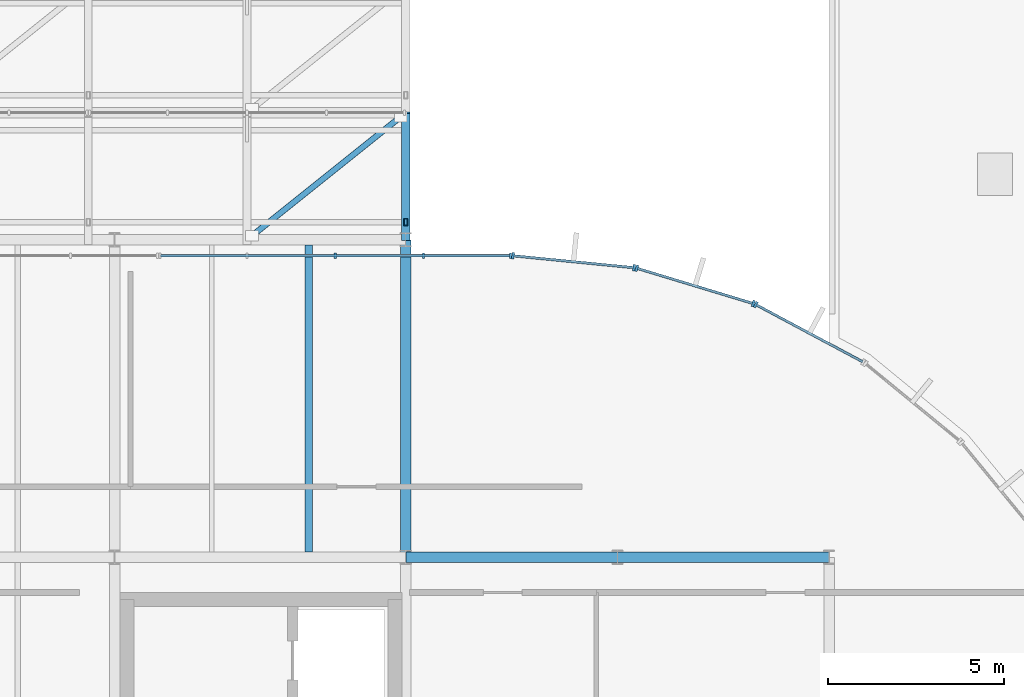
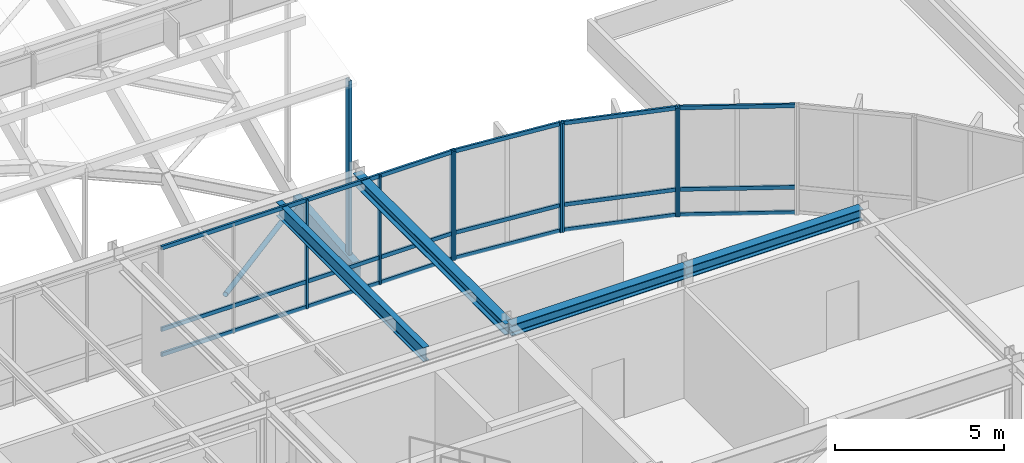
# One storey, part 23 of 69: 22 members, 5 beams, 4 elements without a shape of their own.
"""IFC4 building model written with IfcOpenShell, lengths in metres."""

from ifc_helpers import new_model, si_unit, direction, frame, origin, origin_2d, place, context, subcontext, project, spatial, rectangle, hollow_rectangle, hollow_circle, i_section, extrude, material, layer, layer_set, material_profile, profile_set, type_object, element, aggregate, save


model = new_model("IFC4")

# Units and contexts
model_context = context("Model", 3, precision=1e-05, world=origin(), true_north=direction((0.0, 1.0)))
body_context = subcontext(model_context, "Body", "Model", "MODEL_VIEW")
ifc_project = project(units=[si_unit("LENGTHUNIT", "METRE"), si_unit("AREAUNIT", "SQUARE_METRE"), si_unit("VOLUMEUNIT", "CUBIC_METRE"), si_unit("PLANEANGLEUNIT", "RADIAN"), si_unit("MASSUNIT", "GRAM", prefix="KILO")], contexts=[model_context])

# Site, building, storey
site_placement = place(None, origin())
site = spatial("IfcSite", under=ifc_project, at=site_placement, CompositionType="ELEMENT")
building_placement = place(site_placement, origin())
building = spatial("IfcBuilding", under=site, at=building_placement, Name="Montealbar Specialist Clinic", CompositionType="ELEMENT")
storey_placement = place(building_placement, frame((0.0, 0.0, 9.60009765625)))
storey = spatial("IfcBuildingStorey", under=building, at=storey_placement, Name="L02", CompositionType="ELEMENT", Elevation=9.60009765625)

# Beams
ifc_material_1 = material(Name="Steel S355", Category="steel")
ifc_material_profile_1 = material_profile(ifc_material_1, i_section(OverallWidth=0.300048828125, OverallDepth=0.39990234375, WebThickness=0.013427734375, FlangeThickness=0.02392578125, FilletRadius=0.027099609375, at=origin_2d()), Name="HEB 400", Category="steel")
ifc_profile_set_1 = profile_set([ifc_material_profile_1], Name="Steel S355")
beam_type_1 = type_object("IfcBeamType", Name="BM-GIRD-HEB400", PredefinedType="BEAM", material=ifc_profile_set_1)
for number, where, z_axis, x_axis, name in (
    (1, (99.0, 36.0, 3.72998046875), (1.0, 0.0, 0.0), (0.0, 1.0, 0.0), "Beam GX-L02-990-1050-360"),
    (2, (105.0, 36.0, 3.72998046875), (1.0, 0.0, 0.0), (0.0, 1.0, 0.0), "Beam GX-L02-1050-1110-360"),
):
    element("IfcBeam", number, at=place(storey_placement, frame(where, z_axis=z_axis, x_axis=x_axis)), inside=storey, type_object=beam_type_1, Name=name, PredefinedType="BEAM", context=body_context, shape_type="SweptSolid", body=[
        extrude(i_section(OverallWidth=0.300048828125, OverallDepth=0.39990234375, WebThickness=0.013427734375, FlangeThickness=0.02392578125, FilletRadius=0.027099609375, at=origin_2d()), origin(), (0.0, 0.0, 1.0), 6.0),
    ])
beam_1_placement = place(storey_placement, frame((99.0, 36.0, 3.72998046875), z_axis=(0.0, 1.0, 0.0), x_axis=(-1.0, 0.0, 0.0)))
element("IfcBeam", 3, at=beam_1_placement, inside=storey, type_object=beam_type_1, Name="Beam GY-L02-990-360-450", PredefinedType="BEAM", context=body_context, shape_type="SweptSolid", body=[
    extrude(i_section(OverallWidth=0.300048828125, OverallDepth=0.39990234375, WebThickness=0.013427734375, FlangeThickness=0.02392578125, FilletRadius=0.027099609375, at=origin_2d()), origin(), (0.0, 0.0, 1.0), 9.0),
])
ifc_material_2 = material(Name="Glulam GL28h", Category="wood")
ifc_material_profile_2 = material_profile(ifc_material_2, rectangle(XDim=0.239990234375, YDim=0.639892578125, at=origin_2d()), Name="GL28h 240x640", Category="wood")
ifc_profile_set_2 = profile_set([ifc_material_profile_2], Name="Glulam GL28h")
beam_type_2 = type_object("IfcBeamType", Name="BM-GL-240x640-EXT", PredefinedType="BEAM", material=ifc_profile_set_2)
beam_2_placement = place(storey_placement, frame((99.0, 45.0, 0.31982421875), z_axis=(0.0, 0.996522415849, 0.083325114522), x_axis=(-1.0, 0.0, 0.0)))
element("IfcBeam", 4, at=beam_2_placement, inside=storey, type_object=beam_type_2, Name="Gridshell Glulam Roof Truss Rib Y 10-0", PredefinedType="BEAM", context=body_context, shape_type="SweptSolid", body=[
    extrude(rectangle(XDim=0.239990234375, YDim=0.639892578125, at=origin_2d()), origin(), (0.0, 0.0, 1.0), 3.612548828125),
])
ifc_material_profile_3 = material_profile(ifc_material_1, i_section(OverallWidth=0.199951171875, OverallDepth=0.5, WebThickness=0.01025390625, FlangeThickness=0.01611328125, FilletRadius=0.02099609375, at=origin_2d()), Name="IPE 500", Category="steel")
ifc_profile_set_3 = profile_set([ifc_material_profile_3], Name="Steel S355")
beam_type_3 = type_object("IfcBeamType", Name="BM-JST-IPE500", PredefinedType="JOIST", material=ifc_profile_set_3)
beam_3_placement = place(storey_placement, frame((96.25, 36.14990234375, 3.679931640625), z_axis=(0.0, 1.0, 0.0), x_axis=(-1.0, 0.0, 0.0)))
element("IfcBeam", 5, at=beam_3_placement, inside=storey, type_object=beam_type_3, Name="Beam JST-L02-962-362-448", PredefinedType="JOIST", context=body_context, shape_type="SweptSolid", body=[
    extrude(i_section(OverallWidth=0.199951171875, OverallDepth=0.5, WebThickness=0.01025390625, FlangeThickness=0.01611328125, FilletRadius=0.02099609375, at=origin_2d()), origin(), (0.0, 0.0, 1.0), 8.7001953125),
])

# Curtain wall, members
ifc_material_3 = material(Name="Low-E double glazing", Category="glass")
ifc_layer_1 = layer(ifc_material_3, 0.199951171875, Name="Low-E double glazing", Category="glass")
ifc_layer_set_1 = layer_set([ifc_layer_1], Name="Low-E double glazing")
curtain_wall_type_1 = type_object("IfcCurtainWallType", Name="CW-TYPE-13", PredefinedType="NOTDEFINED", material=ifc_layer_set_1)
curtain_wall_1_placement = place(storey_placement, origin())
curtain_wall_1 = element("IfcCurtainWall", 6, at=curtain_wall_1_placement, inside=storey, type_object=curtain_wall_type_1, Name="Unitised Curtain Wall CW-L02-920-446-1020-446-96", PredefinedType="NOTDEFINED")
ifc_material_4 = material(Name="Anodised aluminium EN AW-6063", Category="aluminium")
ifc_material_profile_4 = material_profile(ifc_material_4, rectangle(XDim=0.06005859375, YDim=0.159912109375, at=origin_2d()), Name="ALU 60x160", Category="aluminium")
ifc_profile_set_4 = profile_set([ifc_material_profile_4], Name="Anodised aluminium EN AW-6063")
member_type_1 = type_object("IfcMemberType", Name="CW-MUL-160", PredefinedType="MULLION", material=ifc_profile_set_4)
member_1_placement = place(storey_placement, frame((97.0, 44.550048828125, 0.0), z_axis=(0.0, 0.0, 1.0), x_axis=(1.0, 0.0, 0.0)))
member_1 = element("IfcMember", 7, at=member_1_placement, type_object=member_type_1, Name="Curtain Wall Mullion CW-L02-920-446-1020-446-96-02", PredefinedType="MULLION", context=body_context, shape_type="SweptSolid", body=[
    extrude(rectangle(XDim=0.06005859375, YDim=0.159912109375, at=origin_2d()), origin(), (0.0, 0.0, 1.0), 3.929931640625),
])
member_2_placement = place(storey_placement, frame((99.5, 44.550048828125, 0.0), z_axis=(0.0, 0.0, 1.0), x_axis=(1.0, 0.0, 0.0)))
member_2 = element("IfcMember", 8, at=member_2_placement, type_object=member_type_1, Name="Curtain Wall Mullion CW-L02-920-446-1020-446-96-03", PredefinedType="MULLION", context=body_context, shape_type="SweptSolid", body=[
    extrude(rectangle(XDim=0.06005859375, YDim=0.159912109375, at=origin_2d()), origin(), (0.0, 0.0, 1.0), 3.929931640625),
])
member_3_placement = place(storey_placement, frame((101.965087890625, 44.550048828125, 0.0), z_axis=(0.0, 0.0, 1.0), x_axis=(1.0, 0.0, 0.0)))
member_3 = element("IfcMember", 9, at=member_3_placement, type_object=member_type_1, Name="Curtain Wall Mullion CW-L02-920-446-1020-446-96-04", PredefinedType="MULLION", context=body_context, shape_type="SweptSolid", body=[
    extrude(rectangle(XDim=0.06005859375, YDim=0.159912109375, at=origin_2d()), origin(), (0.0, 0.0, 1.0), 3.929931640625),
])

ifc_layer_2 = layer(ifc_material_3, 0.199951171875, Name="Low-E double glazing", Category="glass")
ifc_layer_set_2 = layer_set([ifc_layer_2], Name="Low-E double glazing")
curtain_wall_type_2 = type_object("IfcCurtainWallType", Name="CW-TYPE-12", PredefinedType="NOTDEFINED", material=ifc_layer_set_2)
curtain_wall_2_placement = place(storey_placement, origin())
curtain_wall_2 = element("IfcCurtainWall", 10, at=curtain_wall_2_placement, inside=storey, type_object=curtain_wall_type_2, Name="Unitised Curtain Wall CW-L02-1020-446-1055-442-96", PredefinedType="NOTDEFINED")
ifc_material_profile_5 = material_profile(ifc_material_4, rectangle(XDim=0.070068359375, YDim=0.179931640625, at=origin_2d()), Name="ALU 70x180", Category="aluminium")
ifc_profile_set_5 = profile_set([ifc_material_profile_5], Name="Anodised aluminium EN AW-6063")
member_type_2 = type_object("IfcMemberType", Name="CW-MUL-200", PredefinedType="MULLION", material=ifc_profile_set_5)
member_4_placement = place(storey_placement, frame((102.0400390625, 44.5458984375, 0.0), z_axis=(0.0, 0.0, 1.0), x_axis=(0.995182012183, -0.098044697094, 0.0)))
member_4 = element("IfcMember", 11, at=member_4_placement, type_object=member_type_2, Name="Curtain Wall Mullion CW-L02-1020-446-1055-442-96-00", PredefinedType="MULLION", context=body_context, shape_type="SweptSolid", body=[
    extrude(rectangle(XDim=0.070068359375, YDim=0.179931640625, at=origin_2d()), origin(), (0.0, 0.0, 1.0), 3.929931640625),
])
member_5_placement = place(storey_placement, frame((105.471923828125, 44.2080078125, 0.0), z_axis=(0.0, 0.0, 1.0), x_axis=(0.995182012183, -0.098044697094, 0.0)))
member_5 = element("IfcMember", 12, at=member_5_placement, type_object=member_type_2, Name="Curtain Wall Mullion CW-L02-1020-446-1055-442-96-01", PredefinedType="MULLION", context=body_context, shape_type="SweptSolid", body=[
    extrude(rectangle(XDim=0.070068359375, YDim=0.179931640625, at=origin_2d()), origin(), (0.0, 0.0, 1.0), 3.929931640625),
])

curtain_wall_3_placement = place(storey_placement, origin())
curtain_wall_3 = element("IfcCurtainWall", 13, at=curtain_wall_3_placement, inside=storey, type_object=curtain_wall_type_2, Name="Unitised Curtain Wall CW-L02-1055-442-1089-432-96", PredefinedType="NOTDEFINED")
member_6_placement = place(storey_placement, frame((105.550048828125, 44.19189453125, 0.0), z_axis=(0.0, 0.0, 1.0), x_axis=(0.956948083701, -0.290259134399, 0.0)))
member_6 = element("IfcMember", 14, at=member_6_placement, type_object=member_type_2, Name="Curtain Wall Mullion CW-L02-1055-442-1089-432-96-00", PredefinedType="MULLION", context=body_context, shape_type="SweptSolid", body=[
    extrude(rectangle(XDim=0.070068359375, YDim=0.179931640625, at=origin_2d()), origin(), (0.0, 0.0, 1.0), 3.929931640625),
])
member_7_placement = place(storey_placement, frame((108.85009765625, 43.19189453125, 0.0), z_axis=(0.0, 0.0, 1.0), x_axis=(0.956948083701, -0.290259134399, 0.0)))
member_7 = element("IfcMember", 15, at=member_7_placement, type_object=member_type_2, Name="Curtain Wall Mullion CW-L02-1055-442-1089-432-96-01", PredefinedType="MULLION", context=body_context, shape_type="SweptSolid", body=[
    extrude(rectangle(XDim=0.070068359375, YDim=0.179931640625, at=origin_2d()), origin(), (0.0, 0.0, 1.0), 3.929931640625),
])

# Curtain wall, member
curtain_wall_4_placement = place(storey_placement, origin())
curtain_wall_4 = element("IfcCurtainWall", 16, at=curtain_wall_4_placement, inside=storey, type_object=curtain_wall_type_2, Name="Unitised Curtain Wall CW-L02-1089-432-1120-415-96", PredefinedType="NOTDEFINED")
member_8_placement = place(storey_placement, frame((108.923095703125, 43.160888671875, 0.0), z_axis=(0.0, 0.0, 1.0), x_axis=(0.881850411644, -0.471529268958, 0.0)))
member_8 = element("IfcMember", 17, at=member_8_placement, type_object=member_type_2, Name="Curtain Wall Mullion CW-L02-1089-432-1120-415-96-00", PredefinedType="MULLION", context=body_context, shape_type="SweptSolid", body=[
    extrude(rectangle(XDim=0.070068359375, YDim=0.179931640625, at=origin_2d()), origin(), (0.0, 0.0, 1.0), 3.929931640625),
])

# Member
ifc_material_5 = material(Name="Powder-coated aluminium", Category="aluminium")
ifc_material_profile_6 = material_profile(ifc_material_5, rectangle(XDim=0.070068359375, YDim=0.139892578125, at=origin_2d()), Name="ALU 70x140", Category="aluminium")
ifc_profile_set_6 = profile_set([ifc_material_profile_6], Name="Powder-coated aluminium")
member_type_3 = type_object("IfcMemberType", Name="CW-TRN-140", PredefinedType="USERDEFINED", material=ifc_profile_set_6)
member_9_placement = place(storey_placement, frame((92.050048828125, 44.550048828125, 0.039794921875), z_axis=(1.0, 0.0, 0.0), x_axis=(0.0, 1.0, 0.0)))
member_9 = element("IfcMember", 18, at=member_9_placement, type_object=member_type_3, Name="Curtain Wall Transom CW-L02-920-446-1020-446-96-00", ObjectType="TRANSOM", PredefinedType="USERDEFINED", context=body_context, shape_type="SweptSolid", body=[
    extrude(rectangle(XDim=0.070068359375, YDim=0.139892578125, at=origin_2d()), origin(), (0.0, 0.0, 1.0), 9.89990234375),
])

member_10_placement = place(storey_placement, frame((92.050048828125, 44.550048828125, 0.949951171875), z_axis=(1.0, 0.0, 0.0), x_axis=(0.0, 1.0, 0.0)))
member_10 = element("IfcMember", 19, at=member_10_placement, type_object=member_type_3, Name="Curtain Wall Transom CW-L02-920-446-1020-446-96-01", ObjectType="TRANSOM", PredefinedType="USERDEFINED", context=body_context, shape_type="SweptSolid", body=[
    extrude(rectangle(XDim=0.070068359375, YDim=0.139892578125, at=origin_2d()), origin(), (0.0, 0.0, 1.0), 9.89990234375),
])

member_11_placement = place(storey_placement, frame((92.050048828125, 44.550048828125, 3.889892578125), z_axis=(1.0, 0.0, 0.0), x_axis=(0.0, 1.0, 0.0)))
member_11 = element("IfcMember", 20, at=member_11_placement, type_object=member_type_3, Name="Curtain Wall Transom CW-L02-920-446-1020-446-96-02", ObjectType="TRANSOM", PredefinedType="USERDEFINED", context=body_context, shape_type="SweptSolid", body=[
    extrude(rectangle(XDim=0.070068359375, YDim=0.139892578125, at=origin_2d()), origin(), (0.0, 0.0, 1.0), 9.89990234375),
])

aggregate(curtain_wall_1, [member_1, member_2, member_3, member_9, member_10, member_11])

member_12_placement = place(storey_placement, frame((102.050048828125, 44.544921875, 0.039794921875), z_axis=(0.995187625394, -0.097987704654, 0.0), x_axis=(0.097987704654, 0.995187625394, 0.0)))
member_12 = element("IfcMember", 21, at=member_12_placement, type_object=member_type_3, Name="Curtain Wall Transom CW-L02-1020-446-1055-442-96-00", ObjectType="TRANSOM", PredefinedType="USERDEFINED", context=body_context, shape_type="SweptSolid", body=[
    extrude(rectangle(XDim=0.070068359375, YDim=0.139892578125, at=origin_2d()), origin(), (0.0, 0.0, 1.0), 3.428466796875),
])

member_13_placement = place(storey_placement, frame((102.050048828125, 44.544921875, 0.949951171875), z_axis=(0.995187625394, -0.097987704654, 0.0), x_axis=(0.097987704654, 0.995187625394, 0.0)))
member_13 = element("IfcMember", 22, at=member_13_placement, type_object=member_type_3, Name="Curtain Wall Transom CW-L02-1020-446-1055-442-96-01", ObjectType="TRANSOM", PredefinedType="USERDEFINED", context=body_context, shape_type="SweptSolid", body=[
    extrude(rectangle(XDim=0.070068359375, YDim=0.139892578125, at=origin_2d()), origin(), (0.0, 0.0, 1.0), 3.428466796875),
])

member_14_placement = place(storey_placement, frame((102.050048828125, 44.544921875, 3.889892578125), z_axis=(0.995187625394, -0.097987704654, 0.0), x_axis=(0.097987704654, 0.995187625394, 0.0)))
member_14 = element("IfcMember", 23, at=member_14_placement, type_object=member_type_3, Name="Curtain Wall Transom CW-L02-1020-446-1055-442-96-02", ObjectType="TRANSOM", PredefinedType="USERDEFINED", context=body_context, shape_type="SweptSolid", body=[
    extrude(rectangle(XDim=0.070068359375, YDim=0.139892578125, at=origin_2d()), origin(), (0.0, 0.0, 1.0), 3.428466796875),
])

aggregate(curtain_wall_2, [member_4, member_5, member_12, member_13, member_14])

member_15_placement = place(storey_placement, frame((105.56005859375, 44.18896484375, 0.039794921875), z_axis=(0.957028598092, -0.289993555849, 0.0), x_axis=(0.289993555849, 0.957028598092, 0.0)))
member_15 = element("IfcMember", 24, at=member_15_placement, type_object=member_type_3, Name="Curtain Wall Transom CW-L02-1055-442-1089-432-96-00", ObjectType="TRANSOM", PredefinedType="USERDEFINED", context=body_context, shape_type="SweptSolid", body=[
    extrude(rectangle(XDim=0.070068359375, YDim=0.139892578125, at=origin_2d()), origin(), (0.0, 0.0, 1.0), 3.42724609375),
])

member_16_placement = place(storey_placement, frame((105.56005859375, 44.18896484375, 0.949951171875), z_axis=(0.957028598092, -0.289993555849, 0.0), x_axis=(0.289993555849, 0.957028598092, 0.0)))
member_16 = element("IfcMember", 25, at=member_16_placement, type_object=member_type_3, Name="Curtain Wall Transom CW-L02-1055-442-1089-432-96-01", ObjectType="TRANSOM", PredefinedType="USERDEFINED", context=body_context, shape_type="SweptSolid", body=[
    extrude(rectangle(XDim=0.070068359375, YDim=0.139892578125, at=origin_2d()), origin(), (0.0, 0.0, 1.0), 3.42724609375),
])

member_17_placement = place(storey_placement, frame((105.56005859375, 44.18896484375, 3.889892578125), z_axis=(0.957028598092, -0.289993555849, 0.0), x_axis=(0.289993555849, 0.957028598092, 0.0)))
member_17 = element("IfcMember", 26, at=member_17_placement, type_object=member_type_3, Name="Curtain Wall Transom CW-L02-1055-442-1089-432-96-02", ObjectType="TRANSOM", PredefinedType="USERDEFINED", context=body_context, shape_type="SweptSolid", body=[
    extrude(rectangle(XDim=0.070068359375, YDim=0.139892578125, at=origin_2d()), origin(), (0.0, 0.0, 1.0), 3.42724609375),
])

aggregate(curtain_wall_3, [member_6, member_7, member_15, member_16, member_17])

member_18_placement = place(storey_placement, frame((108.931884765625, 43.156005859375, 0.039794921875), z_axis=(0.881980147273, -0.471286558069, 0.0), x_axis=(0.471286558069, 0.881980147273, 0.0)))
member_18 = element("IfcMember", 27, at=member_18_placement, type_object=member_type_3, Name="Curtain Wall Transom CW-L02-1089-432-1120-415-96-00", ObjectType="TRANSOM", PredefinedType="USERDEFINED", context=body_context, shape_type="SweptSolid", body=[
    extrude(rectangle(XDim=0.070068359375, YDim=0.139892578125, at=origin_2d()), origin(), (0.0, 0.0, 1.0), 3.428955078125),
])

member_19_placement = place(storey_placement, frame((108.931884765625, 43.156005859375, 0.949951171875), z_axis=(0.881980147273, -0.471286558069, 0.0), x_axis=(0.471286558069, 0.881980147273, 0.0)))
member_19 = element("IfcMember", 28, at=member_19_placement, type_object=member_type_3, Name="Curtain Wall Transom CW-L02-1089-432-1120-415-96-01", ObjectType="TRANSOM", PredefinedType="USERDEFINED", context=body_context, shape_type="SweptSolid", body=[
    extrude(rectangle(XDim=0.070068359375, YDim=0.139892578125, at=origin_2d()), origin(), (0.0, 0.0, 1.0), 3.428955078125),
])

member_20_placement = place(storey_placement, frame((108.931884765625, 43.156005859375, 3.889892578125), z_axis=(0.881980147273, -0.471286558069, 0.0), x_axis=(0.471286558069, 0.881980147273, 0.0)))
member_20 = element("IfcMember", 29, at=member_20_placement, type_object=member_type_3, Name="Curtain Wall Transom CW-L02-1089-432-1120-415-96-02", ObjectType="TRANSOM", PredefinedType="USERDEFINED", context=body_context, shape_type="SweptSolid", body=[
    extrude(rectangle(XDim=0.070068359375, YDim=0.139892578125, at=origin_2d()), origin(), (0.0, 0.0, 1.0), 3.428955078125),
])

aggregate(curtain_wall_4, [member_8, member_18, member_19, member_20])

# Members
ifc_material_profile_7 = material_profile(ifc_material_1, hollow_circle(Radius=0.084228515625, WallThickness=0.008056640625, at=origin_2d()), Name="CHS 168.3x8.0", Category="steel")
ifc_profile_set_7 = profile_set([ifc_material_profile_7], Name="Steel S355")
member_type_4 = type_object("IfcMemberType", Name="MB-GS-DIAG-EXT", PredefinedType="BRACE", material=ifc_profile_set_7)
member_21_placement = place(storey_placement, frame((94.5, 45.0, 1.074951171875), z_axis=(0.778447557676, 0.622774939534, -0.078554278281), x_axis=(-0.624705380279, 0.780860543151, 0.0)))
element("IfcMember", 30, at=member_21_placement, inside=storey, type_object=member_type_4, Name="Gridshell Roof Brace 9-0", PredefinedType="BRACE", context=body_context, shape_type="SweptSolid", body=[
    extrude(hollow_circle(Radius=0.084228515625, WallThickness=0.008056640625, at=origin_2d()), origin(), (0.0, 0.0, 1.0), 5.78076171875),
])
ifc_material_profile_8 = material_profile(ifc_material_1, hollow_rectangle(XDim=0.10009765625, YDim=0.199951171875, WallThickness=0.008056640625, at=origin_2d()), Name="RHS 200x100x8", Category="steel")
ifc_profile_set_8 = profile_set([ifc_material_profile_8], Name="Steel S355")
member_type_5 = type_object("IfcMemberType", Name="MB-GS-PURLIN-ST-EXT", PredefinedType="PURLIN", material=ifc_profile_set_8)
member_22_placement = place(storey_placement, frame((99.0, 45.5, 0.31982421875), z_axis=(0.0, 0.0, 1.0), x_axis=(1.0, 0.0, 0.0)))
element("IfcMember", 31, at=member_22_placement, inside=storey, type_object=member_type_5, Name="Gridshell Monitor Post 1-10", PredefinedType="PURLIN", context=body_context, shape_type="SweptSolid", body=[
    extrude(hollow_rectangle(XDim=0.10009765625, YDim=0.199951171875, WallThickness=0.008056640625, at=origin_2d()), origin(), (0.0, 0.0, 1.0), 6.64697265625),
])

save(model, "model.ifc")
